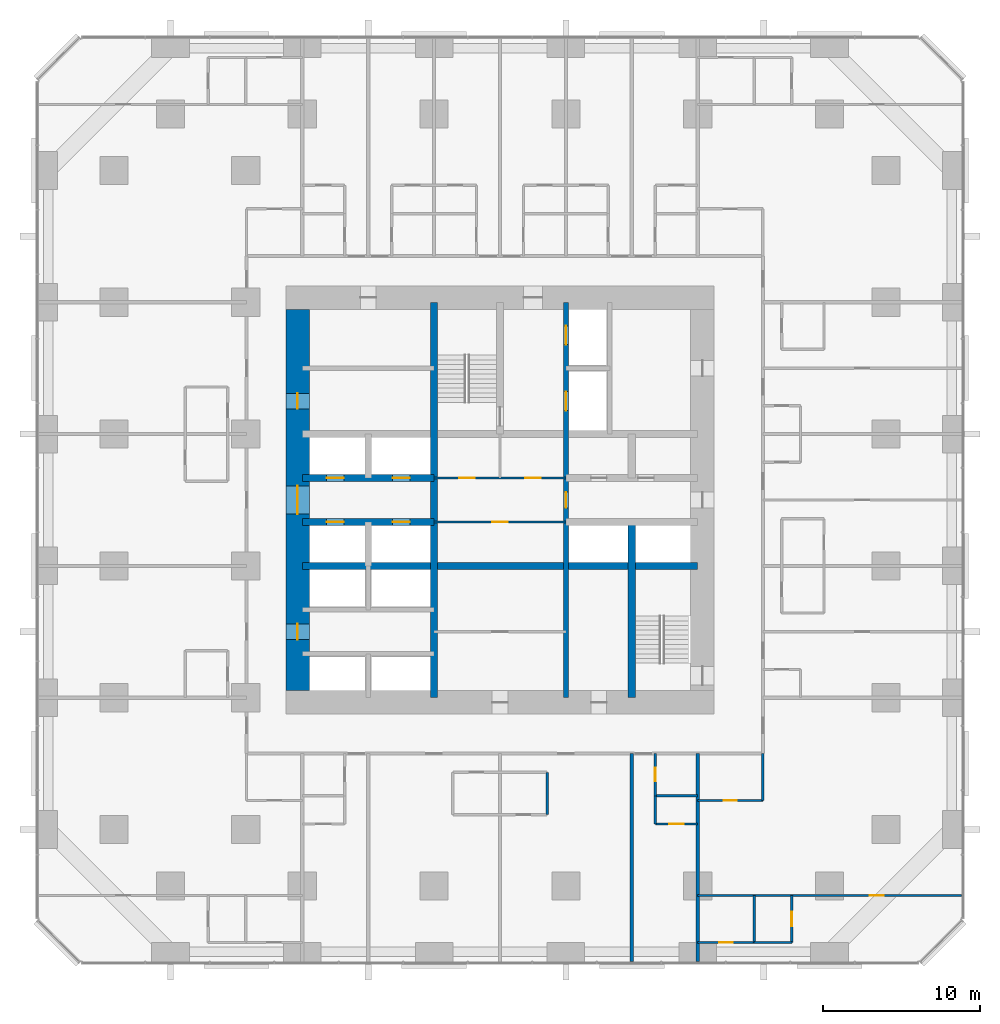
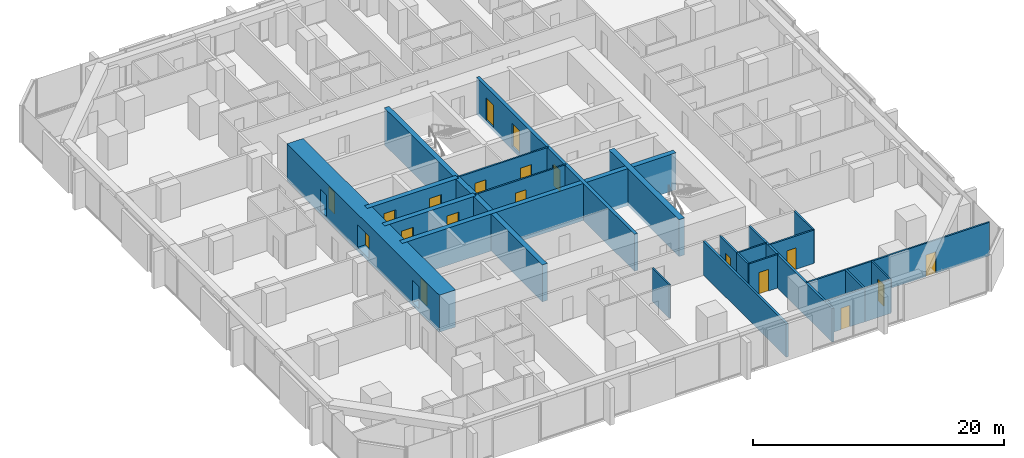
# One storey, part 12 of 17: 23 walls, 19 doors, 19 openings.
"""IFC4 building model written with IfcOpenShell, lengths in metres."""

from ifc_helpers import new_model, si_unit, direction, frame, frame_2d, origin, place, context, subcontext, project, spatial, rectangle, extrude, material, layer, layer_set, type_object, element, fill, save


model = new_model("IFC4")

# Units and contexts
model_context = context("Model", 3, precision=1e-05, world=origin(), true_north=direction((0.0, 1.0)))
body_context = subcontext(model_context, "Body", "Model", "MODEL_VIEW")
ifc_project = project(units=[si_unit("LENGTHUNIT", "METRE"), si_unit("AREAUNIT", "SQUARE_METRE"), si_unit("VOLUMEUNIT", "CUBIC_METRE"), si_unit("PLANEANGLEUNIT", "RADIAN"), si_unit("MASSUNIT", "GRAM", prefix="KILO")], contexts=[model_context])

# Site, building, storey
site_placement = place(None, origin())
site = spatial("IfcSite", under=ifc_project, at=site_placement, CompositionType="ELEMENT")
building_placement = place(site_placement, origin())
building = spatial("IfcBuilding", under=site, at=building_placement, Name="Dunama Terrace Hotel", CompositionType="ELEMENT")
storey_placement = place(building_placement, frame((0.0, 0.0, 66.60009765625)))
storey = spatial("IfcBuildingStorey", under=building, at=storey_placement, Name="L16", CompositionType="ELEMENT", Elevation=66.60009765625)

# Wall
ifc_material_1 = material(Name="Gypsum board partition", Category="masonry")
ifc_layer_1 = layer(ifc_material_1, 0.14990234375)
ifc_layer_set_1 = layer_set([ifc_layer_1], Name="Bathroom partition 150")
wall_type_1 = type_object("IfcWallType", Name="Bathroom partition 150", PredefinedType="PARTITIONING", material=ifc_layer_set_1)
wall_1_placement = place(storey_placement, frame((32.39990234375, 9.35009765625, 0.0), z_axis=(0.0, 0.0, 1.0), x_axis=(0.0, 1.0, 0.0)))
element("IfcWall", 1, at=wall_1_placement, inside=storey, type_object=wall_type_1, Name="Bathroom partition 150 L16", PredefinedType="PARTITIONING", context=body_context, shape_type="SweptSolid", body=[
    extrude(rectangle(XDim=2.699951171875, YDim=0.14990234375, at=frame_2d((1.35009765625, 0.0))), origin(), (0.0, 0.0, 1.0), 3.25),
])

# Wall, opening, door
wall_2_placement = place(storey_placement, frame((39.300048828125, 10.550048828125, 0.0), z_axis=(0.0, 0.0, 1.0), x_axis=(0.0, 1.0, 0.0)))
wall_2 = element("IfcWall", 2, at=wall_2_placement, inside=storey, type_object=wall_type_1, Name="Bathroom partition 150 L16", PredefinedType="PARTITIONING", context=body_context, shape_type="SweptSolid", body=[
    extrude(rectangle(XDim=2.699951171875, YDim=0.14990234375, at=frame_2d((1.35009765625, 0.0))), origin(), (0.0, 0.0, 1.0), 3.25),
])
opening_1_placement = place(wall_2_placement, frame((0.925048828125, 0.0, 0.0)))
opening_1 = element("IfcOpeningElement", 3, at=opening_1_placement, cuts=wall_2, Name="Opening L15-16-017", PredefinedType="OPENING", context=body_context, shape_type="SweptSolid", body=[
    extrude(rectangle(XDim=0.85009765625, YDim=2.10009765625, at=frame_2d((0.425048828125, 1.050048828125))), frame((0.0, 0.0849609375, 0.0), z_axis=(0.0, -1.0, 0.0), x_axis=(1.0, 0.0, 0.0)), (0.0, 0.0, 1.0), 0.169921875),
])
ifc_material_2 = material(Name="Timber door with steel frame", Category="steel")
door_type_1 = type_object("IfcDoorType", Name="Bathroom door 850", OperationType="SINGLE_SWING_LEFT", PredefinedType="DOOR", material=ifc_material_2)
door_1_placement = place(opening_1_placement, frame((0.85009765625, 0.0, 0.0), z_axis=(0.0, 0.0, 1.0), x_axis=(-1.0, 0.0, 0.0)))
door_1 = element("IfcDoor", 4, at=door_1_placement, inside=storey, type_object=door_type_1, Name="Door to en-suite bathroom L15-16-017, type D2", OperationType="SINGLE_SWING_LEFT", OverallHeight=2.10009765625, OverallWidth=0.85009765625, PredefinedType="DOOR", context=body_context, shape_type="SweptSolid", body=[
    extrude(rectangle(XDim=0.85009765625, YDim=2.10009765625, at=frame_2d((0.425048828125, 1.050048828125))), frame((0.0, 0.025146484375, 0.0), z_axis=(0.0, -1.0, 0.0), x_axis=(1.0, 0.0, 0.0)), (0.0, 0.0, 1.0), 0.050048828125),
])
fill(opening_1, door_1)

# Wall
wall_3_placement = place(storey_placement, frame((46.14990234375, 10.25, 0.0), z_axis=(0.0, 0.0, 1.0), x_axis=(0.0, 1.0, 0.0)))
element("IfcWall", 5, at=wall_3_placement, inside=storey, type_object=wall_type_1, Name="Bathroom partition 150 L16", PredefinedType="PARTITIONING", context=body_context, shape_type="SweptSolid", body=[
    extrude(rectangle(XDim=3.0, YDim=0.14990234375, at=frame_2d((1.5, 0.0))), origin(), (0.0, 0.0, 1.0), 3.25),
])

# Wall, opening, door
wall_4_placement = place(storey_placement, frame((42.0, 1.199951171875, 0.0), z_axis=(0.0, 0.0, 1.0), x_axis=(1.0, 0.0, 0.0)))
wall_4 = element("IfcWall", 6, at=wall_4_placement, inside=storey, type_object=wall_type_1, Name="Bathroom partition 150 L16", PredefinedType="PARTITIONING", context=body_context, shape_type="SweptSolid", body=[
    extrude(rectangle(XDim=3.60009765625, YDim=0.14990234375, at=frame_2d((1.800048828125, 0.0))), origin(), (0.0, 0.0, 1.0), 3.25),
])
opening_2_placement = place(wall_4_placement, frame((1.375, 0.0, 0.0)))
opening_2 = element("IfcOpeningElement", 7, at=opening_2_placement, cuts=wall_4, Name="Opening L15-16-063", PredefinedType="OPENING", context=body_context, shape_type="SweptSolid", body=[
    extrude(rectangle(XDim=0.85009765625, YDim=2.10009765625, at=frame_2d((0.425048828125, 1.050048828125))), frame((0.0, 0.0849609375, 0.0), z_axis=(0.0, -1.0, 0.0), x_axis=(1.0, 0.0, 0.0)), (0.0, 0.0, 1.0), 0.169921875),
])
door_2_placement = place(opening_2_placement, origin())
door_2 = element("IfcDoor", 8, at=door_2_placement, inside=storey, type_object=door_type_1, Name="Door to en-suite bathroom L15-16-063, type D2", OperationType="SINGLE_SWING_LEFT", OverallHeight=2.10009765625, OverallWidth=0.85009765625, PredefinedType="DOOR", context=body_context, shape_type="SweptSolid", body=[
    extrude(rectangle(XDim=0.85009765625, YDim=2.10009765625, at=frame_2d((0.425048828125, 1.050048828125))), frame((0.0, 0.02490234375, 0.0), z_axis=(0.0, -1.0, 0.0), x_axis=(1.0, 0.0, 0.0)), (0.0, 0.0, 1.0), 0.050048828125),
])
fill(opening_2, door_2)

wall_5_placement = place(storey_placement, frame((42.0, 10.25, 0.0), z_axis=(0.0, 0.0, 1.0), x_axis=(1.0, 0.0, 0.0)))
wall_5 = element("IfcWall", 9, at=wall_5_placement, inside=storey, type_object=wall_type_1, Name="Bathroom partition 150 L16", PredefinedType="PARTITIONING", context=body_context, shape_type="SweptSolid", body=[
    extrude(rectangle(XDim=4.14990234375, YDim=0.14990234375, at=frame_2d((2.074951171875, 0.0))), origin(), (0.0, 0.0, 1.0), 3.25),
])
opening_3_placement = place(wall_5_placement, frame((1.64990234375, 0.0, 0.0)))
opening_3 = element("IfcOpeningElement", 10, at=opening_3_placement, cuts=wall_5, Name="Opening L15-16-061", PredefinedType="OPENING", context=body_context, shape_type="SweptSolid", body=[
    extrude(rectangle(XDim=0.85009765625, YDim=2.10009765625, at=frame_2d((0.425048828125, 1.050048828125))), frame((0.0, 0.0849609375, 0.0), z_axis=(0.0, -1.0, 0.0), x_axis=(1.0, 0.0, 0.0)), (0.0, 0.0, 1.0), 0.169921875),
])
door_3_placement = place(opening_3_placement, origin())
door_3 = element("IfcDoor", 11, at=door_3_placement, inside=storey, type_object=door_type_1, Name="Door to powder room L15-16-061, type D2", OperationType="SINGLE_SWING_LEFT", OverallHeight=2.10009765625, OverallWidth=0.85009765625, PredefinedType="DOOR", context=body_context, shape_type="SweptSolid", body=[
    extrude(rectangle(XDim=0.85009765625, YDim=2.10009765625, at=frame_2d((0.425048828125, 1.050048828125))), frame((0.0, 0.02490234375, 0.0), z_axis=(0.0, -1.0, 0.0), x_axis=(1.0, 0.0, 0.0)), (0.0, 0.0, 1.0), 0.050048828125),
])
fill(opening_3, door_3)

# Wall, openings, doors
ifc_material_3 = material(Name="Concrete C50/60", Category="concrete")
ifc_layer_2 = layer(ifc_material_3, 0.300048828125)
ifc_layer_set_2 = layer_set([ifc_layer_2], Name="Core inner wall 300")
wall_type_2 = type_object("IfcWallType", Name="Core inner wall 300", PredefinedType="SHEAR", material=ifc_layer_set_2)
wall_6_placement = place(storey_placement, frame((33.60009765625, 16.800048828125, -0.35009765625), z_axis=(0.0, 0.0, 1.0), x_axis=(0.0, 1.0, 0.0)))
wall_6 = element("IfcWall", 12, at=wall_6_placement, inside=storey, type_object=wall_type_2, Name="Core inner wall 300 L16", PredefinedType="SHEAR", context=body_context, shape_type="SweptSolid", body=[
    extrude(rectangle(XDim=25.199951171875, YDim=0.300048828125, at=frame_2d((12.60009765625, 0.0))), origin(), (0.0, 0.0, 1.0), 3.60009765625),
])
opening_4_placement = place(wall_6_placement, frame((22.5, 0.0, 0.35009765625)))
opening_4 = element("IfcOpeningElement", 13, at=opening_4_placement, cuts=wall_6, Name="Opening L15-16-007", PredefinedType="OPENING", context=body_context, shape_type="SweptSolid", body=[
    extrude(rectangle(XDim=1.199951171875, YDim=2.199951171875, at=frame_2d((0.60009765625, 1.10009765625))), frame((0.0, 0.159912109375, 0.0), z_axis=(0.0, -1.0, 0.0), x_axis=(1.0, 0.0, 0.0)), (0.0, 0.0, 1.0), 0.320068359375),
])
opening_5_placement = place(wall_6_placement, frame((18.300048828125, 0.0, 0.35009765625)))
opening_5 = element("IfcOpeningElement", 14, at=opening_5_placement, cuts=wall_6, Name="Opening L15-16-008", PredefinedType="OPENING", context=body_context, shape_type="SweptSolid", body=[
    extrude(rectangle(XDim=1.199951171875, YDim=2.199951171875, at=frame_2d((0.60009765625, 1.10009765625))), frame((0.0, 0.159912109375, 0.0), z_axis=(0.0, -1.0, 0.0), x_axis=(1.0, 0.0, 0.0)), (0.0, 0.0, 1.0), 0.320068359375),
])
opening_6_placement = place(wall_6_placement, frame((12.10009765625, 0.0, 0.35009765625)))
opening_6 = element("IfcOpeningElement", 15, at=opening_6_placement, cuts=wall_6, Name="Opening L15-16-079", PredefinedType="OPENING", context=body_context, shape_type="SweptSolid", body=[
    extrude(rectangle(XDim=1.0, YDim=2.10009765625, at=frame_2d((0.5, 1.050048828125))), frame((0.0, 0.159912109375, 0.0), z_axis=(0.0, -1.0, 0.0), x_axis=(1.0, 0.0, 0.0)), (0.0, 0.0, 1.0), 0.320068359375),
])
ifc_material_4 = material(Name="Stainless steel lift door", Category="steel")
door_type_2 = type_object("IfcDoorType", Name="Firefighting lift landing door 1200", OperationType="DOUBLE_DOOR_SLIDING", PredefinedType="DOOR", material=ifc_material_4)
door_4_placement = place(opening_4_placement, origin())
door_4 = element("IfcDoor", 16, at=door_4_placement, inside=storey, type_object=door_type_2, Name="Landing door FL1 L15-16-007, type LD2", OperationType="DOUBLE_DOOR_SLIDING", OverallHeight=2.199951171875, OverallWidth=1.199951171875, PredefinedType="DOOR", context=body_context, shape_type="SweptSolid", body=[
    extrude(rectangle(XDim=1.199951171875, YDim=2.199951171875, at=frame_2d((0.60009765625, 1.10009765625))), frame((0.0, 0.02490234375, 0.0), z_axis=(0.0, -1.0, 0.0), x_axis=(1.0, 0.0, 0.0)), (0.0, 0.0, 1.0), 0.050048828125),
])
fill(opening_4, door_4)
door_5_placement = place(opening_5_placement, origin())
door_5 = element("IfcDoor", 17, at=door_5_placement, inside=storey, type_object=door_type_2, Name="Landing door FL2 L15-16-008, type LD2", OperationType="DOUBLE_DOOR_SLIDING", OverallHeight=2.199951171875, OverallWidth=1.199951171875, PredefinedType="DOOR", context=body_context, shape_type="SweptSolid", body=[
    extrude(rectangle(XDim=1.199951171875, YDim=2.199951171875, at=frame_2d((0.60009765625, 1.10009765625))), frame((0.0, 0.02490234375, 0.0), z_axis=(0.0, -1.0, 0.0), x_axis=(1.0, 0.0, 0.0)), (0.0, 0.0, 1.0), 0.050048828125),
])
fill(opening_5, door_5)
ifc_material_5 = material(Name="Timber door with steel frame", Category="steel")
door_type_3 = type_object("IfcDoorType", Name="Service door 1000", OperationType="SINGLE_SWING_LEFT", PredefinedType="DOOR", material=ifc_material_5)
door_6_placement = place(opening_6_placement, origin())
door_6 = element("IfcDoor", 18, at=door_6_placement, inside=storey, type_object=door_type_3, Name="Door to staff passage L15-16-079, type D7", OperationType="SINGLE_SWING_LEFT", OverallHeight=2.10009765625, OverallWidth=1.0, PredefinedType="DOOR", context=body_context, shape_type="SweptSolid", body=[
    extrude(rectangle(XDim=1.0, YDim=2.10009765625, at=frame_2d((0.5, 1.050048828125))), frame((0.0, 0.02490234375, 0.0), z_axis=(0.0, -1.0, 0.0), x_axis=(1.0, 0.0, 0.0)), (0.0, 0.0, 1.0), 0.050048828125),
])
fill(opening_6, door_6)

# Walls
ifc_material_6 = material(Name="Concrete C50/60", Category="concrete")
ifc_layer_3 = layer(ifc_material_6, 0.449951171875)
ifc_layer_set_3 = layer_set([ifc_layer_3], Name="Core inner wall 450")
wall_type_3 = type_object("IfcWallType", Name="Core inner wall 450", PredefinedType="SHEAR", material=ifc_layer_set_3)
for number, where, z_axis, x_axis, name in (
    (19, (25.199951171875, 16.800048828125, -0.35009765625), (0.0, 0.0, 1.0), (0.0, 1.0, 0.0), "Core inner wall 450 L16"),
    (20, (16.800048828125, 25.199951171875, -0.35009765625), (0.0, 0.0, 1.0), (1.0, 0.0, 0.0), "Core inner wall 450 L16"),
):
    element("IfcWall", number, at=place(storey_placement, frame(where, z_axis=z_axis, x_axis=x_axis)), inside=storey, type_object=wall_type_3, Name=name, PredefinedType="SHEAR", context=body_context, shape_type="SweptSolid", body=[
        extrude(rectangle(XDim=25.199951171875, YDim=0.449951171875, at=frame_2d((12.60009765625, 0.0))), origin(), (0.0, 0.0, 1.0), 3.60009765625),
    ])

# Wall, openings, doors
wall_7_placement = place(storey_placement, frame((16.800048828125, 28.0, -0.35009765625), z_axis=(0.0, 0.0, 1.0), x_axis=(1.0, 0.0, 0.0)))
wall_7 = element("IfcWall", 21, at=wall_7_placement, inside=storey, type_object=wall_type_3, Name="Core inner wall 450 L16", PredefinedType="SHEAR", context=body_context, shape_type="SweptSolid", body=[
    extrude(rectangle(XDim=8.39990234375, YDim=0.449951171875, at=frame_2d((4.199951171875, 0.0))), origin(), (0.0, 0.0, 1.0), 3.60009765625),
])
opening_7_placement = place(wall_7_placement, frame((1.550048828125, 0.0, 0.35009765625)))
opening_7 = element("IfcOpeningElement", 22, at=opening_7_placement, cuts=wall_7, Name="Opening L15-16-003", PredefinedType="OPENING", context=body_context, shape_type="SweptSolid", body=[
    extrude(rectangle(XDim=1.10009765625, YDim=2.199951171875, at=frame_2d((0.550048828125, 1.10009765625))), frame((0.0, 0.23486328125, 0.0), z_axis=(0.0, -1.0, 0.0), x_axis=(1.0, 0.0, 0.0)), (0.0, 0.0, 1.0), 0.469970703125),
])
opening_8_placement = place(wall_7_placement, frame((5.75, 0.0, 0.35009765625)))
opening_8 = element("IfcOpeningElement", 23, at=opening_8_placement, cuts=wall_7, Name="Opening L15-16-004", PredefinedType="OPENING", context=body_context, shape_type="SweptSolid", body=[
    extrude(rectangle(XDim=1.10009765625, YDim=2.199951171875, at=frame_2d((0.550048828125, 1.10009765625))), frame((0.0, 0.23486328125, 0.0), z_axis=(0.0, -1.0, 0.0), x_axis=(1.0, 0.0, 0.0)), (0.0, 0.0, 1.0), 0.469970703125),
])
ifc_material_7 = material(Name="Stainless steel lift door", Category="steel")
door_type_4 = type_object("IfcDoorType", Name="Lift landing door 1100", OperationType="DOUBLE_DOOR_SLIDING", PredefinedType="DOOR", material=ifc_material_7)
door_7_placement = place(opening_7_placement, origin())
door_7 = element("IfcDoor", 24, at=door_7_placement, inside=storey, type_object=door_type_4, Name="Landing door PA1 L15-16-003, type LD1", OperationType="DOUBLE_DOOR_SLIDING", OverallHeight=2.199951171875, OverallWidth=1.10009765625, PredefinedType="DOOR", context=body_context, shape_type="SweptSolid", body=[
    extrude(rectangle(XDim=1.10009765625, YDim=2.199951171875, at=frame_2d((0.550048828125, 1.10009765625))), frame((0.0, 0.02490234375, 0.0), z_axis=(0.0, -1.0, 0.0), x_axis=(1.0, 0.0, 0.0)), (0.0, 0.0, 1.0), 0.050048828125),
])
fill(opening_7, door_7)
door_8_placement = place(opening_8_placement, origin())
door_8 = element("IfcDoor", 25, at=door_8_placement, inside=storey, type_object=door_type_4, Name="Landing door PA2 L15-16-004, type LD1", OperationType="DOUBLE_DOOR_SLIDING", OverallHeight=2.199951171875, OverallWidth=1.10009765625, PredefinedType="DOOR", context=body_context, shape_type="SweptSolid", body=[
    extrude(rectangle(XDim=1.10009765625, YDim=2.199951171875, at=frame_2d((0.550048828125, 1.10009765625))), frame((0.0, 0.02490234375, 0.0), z_axis=(0.0, -1.0, 0.0), x_axis=(1.0, 0.0, 0.0)), (0.0, 0.0, 1.0), 0.050048828125),
])
fill(opening_8, door_8)

wall_8_placement = place(storey_placement, frame((16.800048828125, 30.800048828125, -0.35009765625), z_axis=(0.0, 0.0, 1.0), x_axis=(1.0, 0.0, 0.0)))
wall_8 = element("IfcWall", 26, at=wall_8_placement, inside=storey, type_object=wall_type_3, Name="Core inner wall 450 L16", PredefinedType="SHEAR", context=body_context, shape_type="SweptSolid", body=[
    extrude(rectangle(XDim=8.39990234375, YDim=0.449951171875, at=frame_2d((4.199951171875, 0.0))), origin(), (0.0, 0.0, 1.0), 3.60009765625),
])
opening_9_placement = place(wall_8_placement, frame((1.550048828125, 0.0, 0.35009765625)))
opening_9 = element("IfcOpeningElement", 27, at=opening_9_placement, cuts=wall_8, Name="Opening L15-16-005", PredefinedType="OPENING", context=body_context, shape_type="SweptSolid", body=[
    extrude(rectangle(XDim=1.10009765625, YDim=2.199951171875, at=frame_2d((0.550048828125, 1.10009765625))), frame((0.0, 0.23486328125, 0.0), z_axis=(0.0, -1.0, 0.0), x_axis=(1.0, 0.0, 0.0)), (0.0, 0.0, 1.0), 0.469970703125),
])
opening_10_placement = place(wall_8_placement, frame((5.75, 0.0, 0.35009765625)))
opening_10 = element("IfcOpeningElement", 28, at=opening_10_placement, cuts=wall_8, Name="Opening L15-16-006", PredefinedType="OPENING", context=body_context, shape_type="SweptSolid", body=[
    extrude(rectangle(XDim=1.10009765625, YDim=2.199951171875, at=frame_2d((0.550048828125, 1.10009765625))), frame((0.0, 0.23486328125, 0.0), z_axis=(0.0, -1.0, 0.0), x_axis=(1.0, 0.0, 0.0)), (0.0, 0.0, 1.0), 0.469970703125),
])
door_9_placement = place(opening_9_placement, origin())
door_9 = element("IfcDoor", 29, at=door_9_placement, inside=storey, type_object=door_type_4, Name="Landing door PA3 L15-16-005, type LD1", OperationType="DOUBLE_DOOR_SLIDING", OverallHeight=2.199951171875, OverallWidth=1.10009765625, PredefinedType="DOOR", context=body_context, shape_type="SweptSolid", body=[
    extrude(rectangle(XDim=1.10009765625, YDim=2.199951171875, at=frame_2d((0.550048828125, 1.10009765625))), frame((0.0, 0.02490234375, 0.0), z_axis=(0.0, -1.0, 0.0), x_axis=(1.0, 0.0, 0.0)), (0.0, 0.0, 1.0), 0.050048828125),
])
fill(opening_9, door_9)
door_10_placement = place(opening_10_placement, origin())
door_10 = element("IfcDoor", 30, at=door_10_placement, inside=storey, type_object=door_type_4, Name="Landing door PA4 L15-16-006, type LD1", OperationType="DOUBLE_DOOR_SLIDING", OverallHeight=2.199951171875, OverallWidth=1.10009765625, PredefinedType="DOOR", context=body_context, shape_type="SweptSolid", body=[
    extrude(rectangle(XDim=1.10009765625, YDim=2.199951171875, at=frame_2d((0.550048828125, 1.10009765625))), frame((0.0, 0.02490234375, 0.0), z_axis=(0.0, -1.0, 0.0), x_axis=(1.0, 0.0, 0.0)), (0.0, 0.0, 1.0), 0.050048828125),
])
fill(opening_10, door_10)

# Wall
ifc_material_8 = material(Name="Concrete C50/60", Category="concrete")
ifc_layer_4 = layer(ifc_material_8, 0.5)
ifc_layer_set_4 = layer_set([ifc_layer_4], Name="Core inner wall 500")
wall_type_4 = type_object("IfcWallType", Name="Core inner wall 500", PredefinedType="SHEAR", material=ifc_layer_set_4)
wall_9_placement = place(storey_placement, frame((37.800048828125, 16.800048828125, -0.35009765625), z_axis=(0.0, 0.0, 1.0), x_axis=(0.0, 1.0, 0.0)))
element("IfcWall", 31, at=wall_9_placement, inside=storey, type_object=wall_type_4, Name="Core inner wall 500 L16", PredefinedType="SHEAR", context=body_context, shape_type="SweptSolid", body=[
    extrude(rectangle(XDim=11.199951171875, YDim=0.5, at=frame_2d((5.60009765625, 0.0))), origin(), (0.0, 0.0, 1.0), 3.60009765625),
])

# Wall, openings, doors
ifc_material_9 = material(Name="Concrete C60/75", Category="concrete")
ifc_layer_5 = layer(ifc_material_9, 1.5)
ifc_layer_set_5 = layer_set([ifc_layer_5], Name="Core wall 1500")
wall_type_5 = type_object("IfcWallType", Name="Core wall 1500", PredefinedType="SHEAR", material=ifc_layer_set_5)
wall_10_placement = place(storey_placement, frame((16.5, 41.550048828125, -0.35009765625), z_axis=(0.0, 0.0, 1.0), x_axis=(0.0, -1.0, 0.0)))
wall_10 = element("IfcWall", 32, at=wall_10_placement, inside=storey, type_object=wall_type_5, Name="Core wall west L16", PredefinedType="SHEAR", context=body_context, shape_type="SweptSolid", body=[
    extrude(rectangle(XDim=24.300048828125, YDim=1.5, at=frame_2d((12.14990234375, 0.0))), origin(), (0.0, 0.0, 1.0), 3.60009765625),
])
opening_11_placement = place(wall_10_placement, frame((11.25, 0.0, 0.35009765625)))
opening_11 = element("IfcOpeningElement", 33, at=opening_11_placement, cuts=wall_10, Name="Opening L15-16-075", PredefinedType="OPENING", context=body_context, shape_type="SweptSolid", body=[
    extrude(rectangle(XDim=1.800048828125, YDim=2.199951171875, at=frame_2d((0.89990234375, 1.10009765625))), frame((0.0, 0.760009765625, 0.0), z_axis=(0.0, -1.0, 0.0), x_axis=(1.0, 0.0, 0.0)), (0.0, 0.0, 1.0), 1.52001953125),
])
opening_12_placement = place(wall_10_placement, frame((20.050048828125, 0.0, 0.35009765625)))
opening_12 = element("IfcOpeningElement", 34, at=opening_12_placement, cuts=wall_10, Name="Opening L15-16-076", PredefinedType="OPENING", context=body_context, shape_type="SweptSolid", body=[
    extrude(rectangle(XDim=1.0, YDim=2.10009765625, at=frame_2d((0.5, 1.050048828125))), frame((0.0, 0.760009765625, 0.0), z_axis=(0.0, -1.0, 0.0), x_axis=(1.0, 0.0, 0.0)), (0.0, 0.0, 1.0), 1.52001953125),
])
opening_13_placement = place(wall_10_placement, frame((5.35009765625, 0.0, 0.35009765625)))
opening_13 = element("IfcOpeningElement", 35, at=opening_13_placement, cuts=wall_10, Name="Opening L15-16-077", PredefinedType="OPENING", context=body_context, shape_type="SweptSolid", body=[
    extrude(rectangle(XDim=1.0, YDim=2.10009765625, at=frame_2d((0.5, 1.050048828125))), frame((0.0, 0.760009765625, 0.0), z_axis=(0.0, -1.0, 0.0), x_axis=(1.0, 0.0, 0.0)), (0.0, 0.0, 1.0), 1.52001953125),
])
ifc_material_10 = material(Name="Timber door with steel frame", Category="steel")
door_type_5 = type_object("IfcDoorType", Name="Lift lobby double door 1800", OperationType="DOUBLE_DOOR_DOUBLE_SWING", PredefinedType="DOOR", material=ifc_material_10)
door_11_placement = place(opening_11_placement, origin())
door_11 = element("IfcDoor", 36, at=door_11_placement, inside=storey, type_object=door_type_5, Name="Door to lift lobby L15-16-075, type D3", OperationType="DOUBLE_DOOR_DOUBLE_SWING", OverallHeight=2.199951171875, OverallWidth=1.800048828125, PredefinedType="DOOR", context=body_context, shape_type="SweptSolid", body=[
    extrude(rectangle(XDim=1.800048828125, YDim=2.199951171875, at=frame_2d((0.89990234375, 1.10009765625))), frame((0.0, 0.02490234375, 0.0), z_axis=(0.0, -1.0, 0.0), x_axis=(1.0, 0.0, 0.0)), (0.0, 0.0, 1.0), 0.050048828125),
])
fill(opening_11, door_11)
door_12_placement = place(opening_12_placement, origin())
door_12 = element("IfcDoor", 37, at=door_12_placement, inside=storey, type_object=door_type_3, Name="Door to service lobby L15-16-076, type D7", OperationType="SINGLE_SWING_RIGHT", OverallHeight=2.10009765625, OverallWidth=1.0, PredefinedType="DOOR", context=body_context, shape_type="SweptSolid", body=[
    extrude(rectangle(XDim=1.0, YDim=2.10009765625, at=frame_2d((0.5, 1.050048828125))), frame((0.0, 0.02490234375, 0.0), z_axis=(0.0, -1.0, 0.0), x_axis=(1.0, 0.0, 0.0)), (0.0, 0.0, 1.0), 0.050048828125),
])
fill(opening_12, door_12)
door_13_placement = place(opening_13_placement, origin())
door_13 = element("IfcDoor", 38, at=door_13_placement, inside=storey, type_object=door_type_3, Name="Door to electrical room L15-16-077, type D7", OperationType="SINGLE_SWING_RIGHT", OverallHeight=2.10009765625, OverallWidth=1.0, PredefinedType="DOOR", context=body_context, shape_type="SweptSolid", body=[
    extrude(rectangle(XDim=1.0, YDim=2.10009765625, at=frame_2d((0.5, 1.050048828125))), frame((0.0, 0.02490234375, 0.0), z_axis=(0.0, -1.0, 0.0), x_axis=(1.0, 0.0, 0.0)), (0.0, 0.0, 1.0), 0.050048828125),
])
fill(opening_13, door_13)

# Walls
ifc_material_11 = material(Name="Concrete blockwork", Category="masonry")
ifc_layer_6 = layer(ifc_material_11, 0.199951171875)
ifc_layer_set_6 = layer_set([ifc_layer_6], Name="Party wall 200")
wall_type_6 = type_object("IfcWallType", Name="Party wall 200", PredefinedType="PARTITIONING", material=ifc_layer_set_6)
for number, where, z_axis, x_axis, name in (
    (39, (37.800048828125, -0.008056640625, 0.0), (0.0, 0.0, 1.0), (0.0, 1.0, 0.0), "Party wall 200 L16"),
    (40, (42.0, -0.008056640625, 0.0), (0.0, 0.0, 1.0), (0.0, 1.0, 0.0), "Party wall 200 L16"),
):
    element("IfcWall", number, at=place(storey_placement, frame(where, z_axis=z_axis, x_axis=x_axis)), inside=storey, type_object=wall_type_6, Name=name, PredefinedType="PARTITIONING", context=body_context, shape_type="SweptSolid", body=[
        extrude(rectangle(XDim=13.258056640625, YDim=0.199951171875, at=frame_2d((6.62890625, 0.0))), origin(), (0.0, 0.0, 1.0), 3.25),
    ])
ifc_material_12 = material(Name="Gypsum board partition", Category="masonry")
ifc_layer_7 = layer(ifc_material_12, 0.14990234375)
ifc_layer_set_7 = layer_set([ifc_layer_7], Name="Room partition 150")
wall_type_7 = type_object("IfcWallType", Name="Room partition 150", PredefinedType="PARTITIONING", material=ifc_layer_set_7)
wall_11_placement = place(storey_placement, frame((39.300048828125, 8.75, 0.0), z_axis=(0.0, 0.0, 1.0), x_axis=(0.0, 1.0, 0.0)))
element("IfcWall", 41, at=wall_11_placement, inside=storey, type_object=wall_type_7, Name="Room partition 150 L16", PredefinedType="PARTITIONING", context=body_context, shape_type="SweptSolid", body=[
    extrude(rectangle(XDim=1.800048828125, YDim=0.14990234375, at=frame_2d((0.89990234375, 0.0))), origin(), (0.0, 0.0, 1.0), 3.25),
])
wall_12_placement = place(storey_placement, frame((45.60009765625, 1.199951171875, 0.0), z_axis=(0.0, 0.0, 1.0), x_axis=(0.0, 1.0, 0.0)))
element("IfcWall", 42, at=wall_12_placement, inside=storey, type_object=wall_type_7, Name="Room partition 150 L16", PredefinedType="PARTITIONING", context=body_context, shape_type="SweptSolid", body=[
    extrude(rectangle(XDim=3.0, YDim=0.14990234375, at=frame_2d((1.5, 0.0))), origin(), (0.0, 0.0, 1.0), 3.25),
])

# Wall, opening, door
wall_13_placement = place(storey_placement, frame((48.0, 1.199951171875, 0.0), z_axis=(0.0, 0.0, 1.0), x_axis=(0.0, 1.0, 0.0)))
wall_13 = element("IfcWall", 43, at=wall_13_placement, inside=storey, type_object=wall_type_7, Name="Room partition 150 L16", PredefinedType="PARTITIONING", context=body_context, shape_type="SweptSolid", body=[
    extrude(rectangle(XDim=3.0, YDim=0.14990234375, at=frame_2d((1.5, 0.0))), origin(), (0.0, 0.0, 1.0), 3.25),
])
opening_14_placement = place(wall_13_placement, frame((1.050048828125, 0.0, 0.0)))
opening_14 = element("IfcOpeningElement", 44, at=opening_14_placement, cuts=wall_13, Name="Opening L15-16-064", PredefinedType="OPENING", context=body_context, shape_type="SweptSolid", body=[
    extrude(rectangle(XDim=0.89990234375, YDim=2.10009765625, at=frame_2d((0.449951171875, 1.050048828125))), frame((0.0, 0.0849609375, 0.0), z_axis=(0.0, -1.0, 0.0), x_axis=(1.0, 0.0, 0.0)), (0.0, 0.0, 1.0), 0.169921875),
])
ifc_material_13 = material(Name="Timber door with steel frame", Category="steel")
door_type_6 = type_object("IfcDoorType", Name="Suite internal door 900", OperationType="SINGLE_SWING_LEFT", PredefinedType="DOOR", material=ifc_material_13)
door_14_placement = place(opening_14_placement, origin())
door_14 = element("IfcDoor", 45, at=door_14_placement, inside=storey, type_object=door_type_6, Name="Door to dressing room L15-16-064, type D16", OperationType="SINGLE_SWING_LEFT", OverallHeight=2.10009765625, OverallWidth=0.89990234375, PredefinedType="DOOR", context=body_context, shape_type="SweptSolid", body=[
    extrude(rectangle(XDim=0.89990234375, YDim=2.10009765625, at=frame_2d((0.449951171875, 1.050048828125))), frame((0.0, 0.02490234375, 0.0), z_axis=(0.0, -1.0, 0.0), x_axis=(1.0, 0.0, 0.0)), (0.0, 0.0, 1.0), 0.050048828125),
])
fill(opening_14, door_14)

# Wall
wall_14_placement = place(storey_placement, frame((45.60009765625, 1.199951171875, 0.0), z_axis=(0.0, 0.0, 1.0), x_axis=(1.0, 0.0, 0.0)))
element("IfcWall", 46, at=wall_14_placement, inside=storey, type_object=wall_type_7, Name="Room partition 150 L16", PredefinedType="PARTITIONING", context=body_context, shape_type="SweptSolid", body=[
    extrude(rectangle(XDim=2.39990234375, YDim=0.14990234375, at=frame_2d((1.199951171875, 0.0))), origin(), (0.0, 0.0, 1.0), 3.25),
])

# Wall, opening, door
wall_15_placement = place(storey_placement, frame((42.0, 4.199951171875, 0.0), z_axis=(0.0, 0.0, 1.0), x_axis=(1.0, 0.0, 0.0)))
wall_15 = element("IfcWall", 47, at=wall_15_placement, inside=storey, type_object=wall_type_7, Name="Room partition 150 L16", PredefinedType="PARTITIONING", context=body_context, shape_type="SweptSolid", body=[
    extrude(rectangle(XDim=16.80810546875, YDim=0.14990234375, at=frame_2d((8.404052734375, 0.0))), origin(), (0.0, 0.0, 1.0), 3.25),
])
opening_15_placement = place(wall_15_placement, frame((10.949951171875, 0.0, 0.0)))
opening_15 = element("IfcOpeningElement", 48, at=opening_15_placement, cuts=wall_15, Name="Opening L15-16-062", PredefinedType="OPENING", context=body_context, shape_type="SweptSolid", body=[
    extrude(rectangle(XDim=0.89990234375, YDim=2.10009765625, at=frame_2d((0.449951171875, 1.050048828125))), frame((0.0, 0.0849609375, 0.0), z_axis=(0.0, -1.0, 0.0), x_axis=(1.0, 0.0, 0.0)), (0.0, 0.0, 1.0), 0.169921875),
])
door_15_placement = place(opening_15_placement, frame((0.89990234375, 0.0, 0.0), z_axis=(0.0, 0.0, 1.0), x_axis=(-1.0, 0.0, 0.0)))
door_15 = element("IfcDoor", 49, at=door_15_placement, inside=storey, type_object=door_type_6, Name="Door to corner suite bedroom L15-16-062, type D16", OperationType="SINGLE_SWING_RIGHT", OverallHeight=2.10009765625, OverallWidth=0.89990234375, PredefinedType="DOOR", context=body_context, shape_type="SweptSolid", body=[
    extrude(rectangle(XDim=0.89990234375, YDim=2.10009765625, at=frame_2d((0.449951171875, 1.050048828125))), frame((0.0, 0.025146484375, 0.0), z_axis=(0.0, -1.0, 0.0), x_axis=(1.0, 0.0, 0.0)), (0.0, 0.0, 1.0), 0.050048828125),
])
fill(opening_15, door_15)

wall_16_placement = place(storey_placement, frame((39.300048828125, 8.75, 0.0), z_axis=(0.0, 0.0, 1.0), x_axis=(1.0, 0.0, 0.0)))
wall_16 = element("IfcWall", 50, at=wall_16_placement, inside=storey, type_object=wall_type_7, Name="Room partition 150 L16", PredefinedType="PARTITIONING", context=body_context, shape_type="SweptSolid", body=[
    extrude(rectangle(XDim=2.699951171875, YDim=0.14990234375, at=frame_2d((1.35009765625, 0.0))), origin(), (0.0, 0.0, 1.0), 3.25),
])
opening_16_placement = place(wall_16_placement, frame((0.89990234375, 0.0, 0.0)))
opening_16 = element("IfcOpeningElement", 51, at=opening_16_placement, cuts=wall_16, Name="Opening L15-16-018", PredefinedType="OPENING", context=body_context, shape_type="SweptSolid", body=[
    extrude(rectangle(XDim=0.89990234375, YDim=2.10009765625, at=frame_2d((0.449951171875, 1.050048828125))), frame((0.0, 0.0849609375, 0.0), z_axis=(0.0, -1.0, 0.0), x_axis=(1.0, 0.0, 0.0)), (0.0, 0.0, 1.0), 0.169921875),
])
door_16_placement = place(opening_16_placement, origin())
door_16 = element("IfcDoor", 52, at=door_16_placement, inside=storey, type_object=door_type_6, Name="Door to walk-in wardrobe L15-16-018, type D16", OperationType="SINGLE_SWING_RIGHT", OverallHeight=2.10009765625, OverallWidth=0.89990234375, PredefinedType="DOOR", context=body_context, shape_type="SweptSolid", body=[
    extrude(rectangle(XDim=0.89990234375, YDim=2.10009765625, at=frame_2d((0.449951171875, 1.050048828125))), frame((0.0, 0.02490234375, 0.0), z_axis=(0.0, -1.0, 0.0), x_axis=(1.0, 0.0, 0.0)), (0.0, 0.0, 1.0), 0.050048828125),
])
fill(opening_16, door_16)

# Wall
wall_17_placement = place(storey_placement, frame((39.300048828125, 10.550048828125, 0.0), z_axis=(0.0, 0.0, 1.0), x_axis=(1.0, 0.0, 0.0)))
element("IfcWall", 53, at=wall_17_placement, inside=storey, type_object=wall_type_7, Name="Room partition 150 L16", PredefinedType="PARTITIONING", context=body_context, shape_type="SweptSolid", body=[
    extrude(rectangle(XDim=2.699951171875, YDim=0.14990234375, at=frame_2d((1.35009765625, 0.0))), origin(), (0.0, 0.0, 1.0), 3.25),
])

# Wall, opening, door
wall_18_placement = place(storey_placement, frame((25.199951171875, 28.0, 0.0), z_axis=(0.0, 0.0, 1.0), x_axis=(1.0, 0.0, 0.0)))
wall_18 = element("IfcWall", 54, at=wall_18_placement, inside=storey, type_object=wall_type_7, Name="Room partition 150 L16", PredefinedType="PARTITIONING", context=body_context, shape_type="SweptSolid", body=[
    extrude(rectangle(XDim=8.400146484375, YDim=0.14990234375, at=frame_2d((4.2001953125, 0.0))), origin(), (0.0, 0.0, 1.0), 3.25),
])
opening_17_placement = place(wall_18_placement, frame((3.699951171875, 0.0, 0.0)))
opening_17 = element("IfcOpeningElement", 55, at=opening_17_placement, cuts=wall_18, Name="Opening L15-16-080", PredefinedType="OPENING", context=body_context, shape_type="SweptSolid", body=[
    extrude(rectangle(XDim=1.0, YDim=2.10009765625, at=frame_2d((0.5, 1.050048828125))), frame((0.0, 0.0849609375, 0.0), z_axis=(0.0, -1.0, 0.0), x_axis=(1.0, 0.0, 0.0)), (0.0, 0.0, 1.0), 0.169921875),
])
door_17_placement = place(opening_17_placement, frame((1.0, 0.0, 0.0), z_axis=(0.0, 0.0, 1.0), x_axis=(-1.0, 0.0, 0.0)))
door_17 = element("IfcDoor", 56, at=door_17_placement, inside=storey, type_object=door_type_3, Name="Door to room service pantry L15-16-080, type D7", OperationType="SINGLE_SWING_RIGHT", OverallHeight=2.10009765625, OverallWidth=1.0, PredefinedType="DOOR", context=body_context, shape_type="SweptSolid", body=[
    extrude(rectangle(XDim=1.0, YDim=2.10009765625, at=frame_2d((0.5, 1.050048828125))), frame((0.0, 0.025146484375, 0.0), z_axis=(0.0, -1.0, 0.0), x_axis=(1.0, 0.0, 0.0)), (0.0, 0.0, 1.0), 0.050048828125),
])
fill(opening_17, door_17)

# Wall, openings, doors
wall_19_placement = place(storey_placement, frame((25.199951171875, 30.800048828125, 0.0), z_axis=(0.0, 0.0, 1.0), x_axis=(1.0, 0.0, 0.0)))
wall_19 = element("IfcWall", 57, at=wall_19_placement, inside=storey, type_object=wall_type_7, Name="Room partition 150 L16", PredefinedType="PARTITIONING", context=body_context, shape_type="SweptSolid", body=[
    extrude(rectangle(XDim=8.400146484375, YDim=0.14990234375, at=frame_2d((4.2001953125, 0.0))), origin(), (0.0, 0.0, 1.0), 3.25),
])
opening_18_placement = place(wall_19_placement, frame((5.800048828125, 0.0, 0.0)))
opening_18 = element("IfcOpeningElement", 58, at=opening_18_placement, cuts=wall_19, Name="Opening L15-16-081", PredefinedType="OPENING", context=body_context, shape_type="SweptSolid", body=[
    extrude(rectangle(XDim=1.0, YDim=2.10009765625, at=frame_2d((0.5, 1.050048828125))), frame((0.0, 0.0849609375, 0.0), z_axis=(0.0, -1.0, 0.0), x_axis=(1.0, 0.0, 0.0)), (0.0, 0.0, 1.0), 0.169921875),
])
opening_19_placement = place(wall_19_placement, frame((1.60009765625, 0.0, 0.0)))
opening_19 = element("IfcOpeningElement", 59, at=opening_19_placement, cuts=wall_19, Name="Opening L15-16-082", PredefinedType="OPENING", context=body_context, shape_type="SweptSolid", body=[
    extrude(rectangle(XDim=1.0, YDim=2.10009765625, at=frame_2d((0.5, 1.050048828125))), frame((0.0, 0.0849609375, 0.0), z_axis=(0.0, -1.0, 0.0), x_axis=(1.0, 0.0, 0.0)), (0.0, 0.0, 1.0), 0.169921875),
])
door_18_placement = place(opening_18_placement, origin())
door_18 = element("IfcDoor", 60, at=door_18_placement, inside=storey, type_object=door_type_3, Name="Door to it equipment room L15-16-081, type D7", OperationType="SINGLE_SWING_RIGHT", OverallHeight=2.10009765625, OverallWidth=1.0, PredefinedType="DOOR", context=body_context, shape_type="SweptSolid", body=[
    extrude(rectangle(XDim=1.0, YDim=2.10009765625, at=frame_2d((0.5, 1.050048828125))), frame((0.0, 0.02490234375, 0.0), z_axis=(0.0, -1.0, 0.0), x_axis=(1.0, 0.0, 0.0)), (0.0, 0.0, 1.0), 0.050048828125),
])
fill(opening_18, door_18)
door_19_placement = place(opening_19_placement, origin())
door_19 = element("IfcDoor", 61, at=door_19_placement, inside=storey, type_object=door_type_3, Name="Door to staff break room L15-16-082, type D7", OperationType="SINGLE_SWING_LEFT", OverallHeight=2.10009765625, OverallWidth=1.0, PredefinedType="DOOR", context=body_context, shape_type="SweptSolid", body=[
    extrude(rectangle(XDim=1.0, YDim=2.10009765625, at=frame_2d((0.5, 1.050048828125))), frame((0.0, 0.02490234375, 0.0), z_axis=(0.0, -1.0, 0.0), x_axis=(1.0, 0.0, 0.0)), (0.0, 0.0, 1.0), 0.050048828125),
])
fill(opening_19, door_19)

save(model, "model.ifc")
